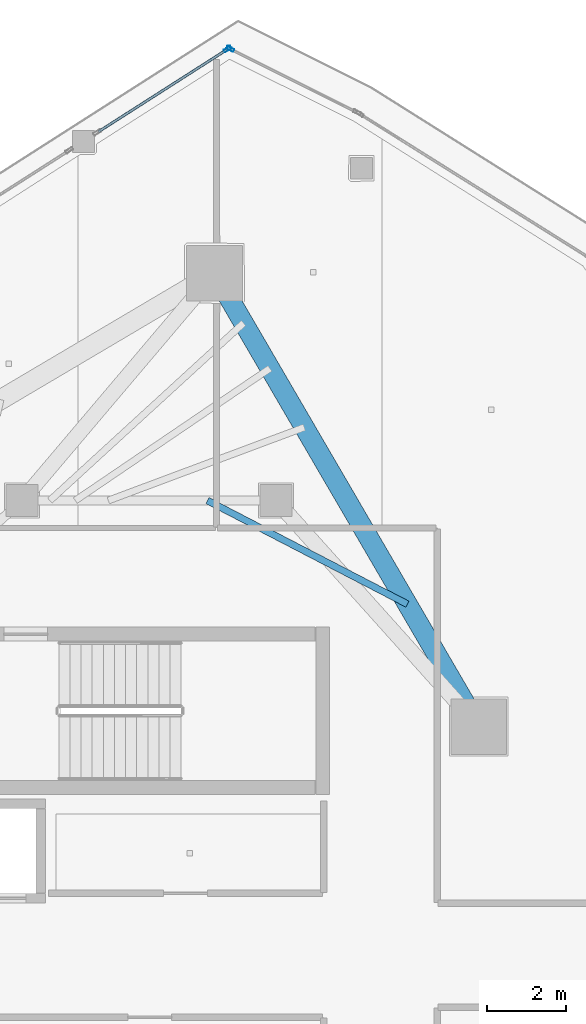
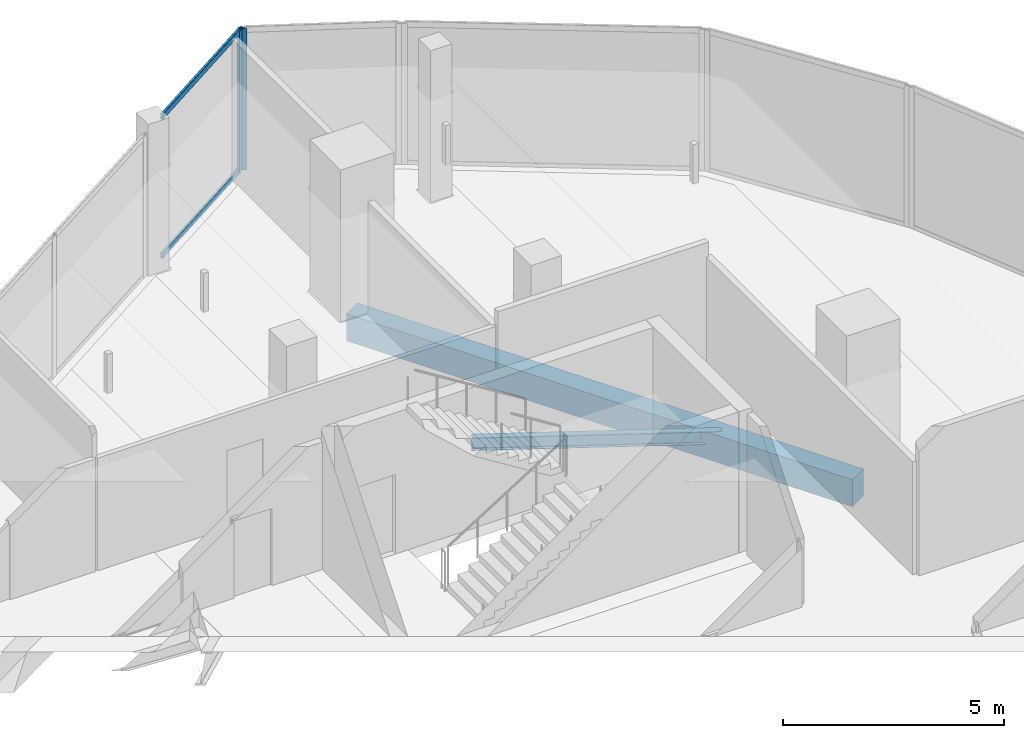
# One storey, part 14 of 25: 4 members, 2 beams, 2 elements without a shape of their own.
"""IFC4 building model written with IfcOpenShell, lengths in metres."""

import ifcopenshell
import ifcopenshell.guid

model = None  # the IFC model being written
_history = None  # IfcOwnerHistory: only IFC2X3 demands one
_inside = {}  # id of a spatial element -> (the spatial element, [elements in it])
_under = {}  # id of a project, library or spatial element -> (it, [spatial elements below it])
_declared = {}  # id of a project -> (the project, [libraries it declares])
_typed = {}  # id of a type object -> (the type object, [elements of that type])
_made_of = {}  # id of a material, layer set ... -> (it, [elements and type objects made of it])


def new_model(schema):
    """Start an empty IFC model of exactly this schema.

    Asked for "IFC4X3", IfcOpenShell would pick the latest addendum, in which some entities
    have other attributes; the version numbers below select the first issue.
    IFC2X3 requires an IfcOwnerHistory on every rooted entity: one is made here for all.
    """
    global model, _history
    if schema == "IFC4X3":
        model = ifcopenshell.file(schema_version=(4, 3, 0, 0))
    else:
        model = ifcopenshell.file(schema=schema)
    _inside.clear()
    _under.clear()
    _declared.clear()
    _typed.clear()
    _made_of.clear()
    _history = None
    if model.schema == "IFC2X3":
        org = make("IfcOrganization", Name="unknown")
        user = make(
            "IfcPersonAndOrganization",
            ThePerson=make("IfcPerson", FamilyName="unknown"),
            TheOrganization=org,
        )
        app = make(
            "IfcApplication",
            ApplicationDeveloper=org,
            Version="unknown",
            ApplicationFullName="unknown",
            ApplicationIdentifier="unknown",
        )
        _history = make(
            "IfcOwnerHistory",
            OwningUser=user,
            OwningApplication=app,
            ChangeAction="ADDED",
            CreationDate=0,
        )
    return model


def make(cls, **values):
    """One entity of the class cls with the attributes given. An attribute that is None is left unset."""
    return model.create_entity(
        cls, **{name: value for name, value in values.items() if value is not None}
    )


def rooted(cls, **values):
    """An entity with a GlobalId (a new one), such as an element, a storey or a relation."""
    return make(cls, GlobalId=ifcopenshell.guid.new(), OwnerHistory=_history, **values)


def si_unit(unit_type, name, prefix=None):
    """IfcSIUnit, for example si_unit("LENGTHUNIT", "METRE", prefix="MILLI")."""
    return make("IfcSIUnit", UnitType=unit_type, Prefix=prefix, Name=name)


def assignment(units):
    """IfcUnitAssignment: the units of a project."""
    return None if units is None else make("IfcUnitAssignment", Units=units)


def point(xyz):
    """IfcCartesianPoint."""
    return None if xyz is None else make("IfcCartesianPoint", Coordinates=xyz)


def direction(xyz):
    """IfcDirection."""
    return None if xyz is None else make("IfcDirection", DirectionRatios=xyz)


def frame(location, z_axis=None, x_axis=None):
    """IfcAxis2Placement3D, a coordinate frame: its origin and axes. An axis left out is left unset."""
    return make(
        "IfcAxis2Placement3D",
        Location=point(location),
        Axis=direction(z_axis),
        RefDirection=direction(x_axis),
    )


def frame_2d(location, x_axis=None):
    """IfcAxis2Placement2D, a coordinate frame in the plane: its origin and x axis."""
    return make(
        "IfcAxis2Placement2D", Location=point(location), RefDirection=direction(x_axis)
    )


def origin():
    """The frame at (0, 0, 0) with its axes left unset."""
    return frame((0.0, 0.0, 0.0))


def origin_2d():
    """The frame at (0, 0) in the plane with its x axis left unset."""
    return frame_2d((0.0, 0.0))


def place(relative_to, where):
    """IfcLocalPlacement: puts the frame where relative to a parent placement (None: the world)."""
    return make(
        "IfcLocalPlacement", PlacementRelTo=relative_to, RelativePlacement=where
    )


def context(
    kind, dimensions, precision=None, world=None, true_north=None, identifier=None
):
    """IfcGeometricRepresentationContext, for example the 3D "Model" context."""
    return make(
        "IfcGeometricRepresentationContext",
        ContextIdentifier=identifier,
        ContextType=kind,
        CoordinateSpaceDimension=dimensions,
        Precision=precision,
        WorldCoordinateSystem=world,
        TrueNorth=true_north,
    )


def subcontext(parent, identifier, kind, view, scale=None):
    """IfcGeometricRepresentationSubContext, for example "Body" below "Model"."""
    return make(
        "IfcGeometricRepresentationSubContext",
        ContextIdentifier=identifier,
        ContextType=kind,
        ParentContext=parent,
        TargetScale=scale,
        TargetView=view,
    )


def project(units=None, contexts=None):
    """IfcProject with its units and contexts."""
    return rooted(
        "IfcProject",
        Name="project",
        RepresentationContexts=contexts,
        UnitsInContext=assignment(units),
    )


def spatial(cls, under=None, at=None, **own):
    """A site, building, storey or space (cls), placed at a placement, below another one or the project."""
    s = rooted(cls, ObjectPlacement=at, **own)
    if under is not None:
        _under.setdefault(under.id(), (under, []))[1].append(s)
    return s


def profile(cls, at=None, kind="AREA", **sizes):
    """A parametric profile (cls). Its sizes go by their IFC names, for example OverallWidth=200.0."""
    return make(cls, ProfileType=kind, Position=at, **sizes)


def rectangle(**sizes):
    """IfcRectangleProfileDef."""
    return profile("IfcRectangleProfileDef", **sizes)


def hollow_rectangle(**sizes):
    """IfcRectangleHollowProfileDef."""
    return profile("IfcRectangleHollowProfileDef", **sizes)


def i_section(**sizes):
    """IfcIShapeProfileDef."""
    return profile("IfcIShapeProfileDef", **sizes)


def extrude(swept, where, along, depth):
    """IfcExtrudedAreaSolid: the profile swept, set in the frame where, extruded along a direction by depth."""
    return make(
        "IfcExtrudedAreaSolid",
        SweptArea=swept,
        Position=where,
        ExtrudedDirection=direction(along),
        Depth=depth,
    )


def shape(context_of_items, identifier, shape_type, items):
    """IfcShapeRepresentation: the items that make up one representation, for example the "Body"."""
    return make(
        "IfcShapeRepresentation",
        ContextOfItems=context_of_items,
        RepresentationIdentifier=identifier,
        RepresentationType=shape_type,
        Items=items,
    )


def material(Name=None, Category=None):
    """IfcMaterial."""
    return make("IfcMaterial", Name=Name, Category=Category)


def layer(
    of_material, thickness, ventilated=None, Name=None, Category=None, Priority=None
):
    """IfcMaterialLayer: one layer of a wall or slab, of a material (None: an air gap)."""
    return make(
        "IfcMaterialLayer",
        Material=of_material,
        LayerThickness=thickness,
        IsVentilated=ventilated,
        Name=Name,
        Category=Category,
        Priority=Priority,
    )


def layer_set(layers, Name=None):
    """IfcMaterialLayerSet."""
    return make("IfcMaterialLayerSet", MaterialLayers=layers, LayerSetName=Name)


def material_profile(
    of_material, cross_section, Name=None, Category=None, Priority=None
):
    """IfcMaterialProfile: a cross section and its material."""
    return make(
        "IfcMaterialProfile",
        Name=Name,
        Material=of_material,
        Profile=cross_section,
        Priority=Priority,
        Category=Category,
    )


def profile_set(profiles, Name=None, composite=None):
    """IfcMaterialProfileSet."""
    return make(
        "IfcMaterialProfileSet",
        Name=Name,
        MaterialProfiles=profiles,
        CompositeProfile=composite,
    )


def made_of(thing, what):
    """Note that an element or type object is made of a material, layer set ...; save() writes the relation."""
    if what is not None:
        _made_of.setdefault(what.id(), (what, []))[1].append(thing)
    return thing


def type_object(cls, material=None, **own):
    """A type object (cls), such as IfcWallType, which elements share."""
    return made_of(rooted(cls, **own), material)


def element(
    cls,
    number,
    at=None,
    inside=None,
    cuts=None,
    type_object=None,
    material=None,
    context=None,
    identifier="Body",
    shape_type=None,
    held_by="IfcProductDefinitionShape",
    body=None,
    shapes=None,
    **own,
):
    """One element of the class cls, such as IfcWall. Its Tag is "e" and its number.

    at: its placement. inside: the storey or other place that contains it. cuts: it is an
    opening in that element (IfcRelVoidsElement). A single representation is given by context,
    identifier, shape_type and body (its items); several are given by shapes. held_by: the class
    of the entity that holds the representations. save() writes the other relations.
    """
    e = rooted(cls, Tag="e%d" % number, ObjectPlacement=at, **own)
    if body is not None:
        shapes = [shape(context, identifier, shape_type, body)]
    if shapes is not None:
        e.Representation = make(held_by, Representations=shapes)
    if inside is not None:
        _inside.setdefault(inside.id(), (inside, []))[1].append(e)
    if cuts is not None:
        rooted(
            "IfcRelVoidsElement", RelatingBuildingElement=cuts, RelatedOpeningElement=e
        )
    if type_object is not None:
        _typed.setdefault(type_object.id(), (type_object, []))[1].append(e)
    return made_of(e, material)


def aggregate(whole, parts):
    """IfcRelAggregates: a whole, such as a stair, and the parts it consists of."""
    return rooted("IfcRelAggregates", RelatingObject=whole, RelatedObjects=parts)


def save(model, path):
    """Write the relations noted so far, then the file.

    IfcRelAggregates (storeys below a building ...), IfcRelContainedInSpatialStructure (elements
    in a storey), IfcRelDefinesByType, IfcRelAssociatesMaterial and IfcRelDeclares: one each for
    every whole, place, type object, material and project.
    """
    for whole, parts in _under.values():
        aggregate(whole, parts)
    for where, things in _inside.values():
        rooted(
            "IfcRelContainedInSpatialStructure",
            RelatedElements=things,
            RelatingStructure=where,
        )
    for kind, things in _typed.values():
        rooted("IfcRelDefinesByType", RelatedObjects=things, RelatingType=kind)
    for what, things in _made_of.values():
        rooted("IfcRelAssociatesMaterial", RelatedObjects=things, RelatingMaterial=what)
    for by, libraries in _declared.values():
        rooted("IfcRelDeclares", RelatingContext=by, RelatedDefinitions=libraries)
    model.write(path)


model = new_model("IFC4")

# Units and contexts
model_context = context("Model", 3, precision=1e-05, world=origin(), true_north=direction((0.0, 1.0)))
body_context = subcontext(model_context, "Body", "Model", "MODEL_VIEW")
ifc_project = project(units=[si_unit("LENGTHUNIT", "METRE"), si_unit("AREAUNIT", "SQUARE_METRE"), si_unit("VOLUMEUNIT", "CUBIC_METRE"), si_unit("PLANEANGLEUNIT", "RADIAN"), si_unit("MASSUNIT", "GRAM", prefix="KILO")], contexts=[model_context])

# Site, building, storey
site_placement = place(None, origin())
site = spatial("IfcSite", under=ifc_project, at=site_placement, CompositionType="ELEMENT")
building_placement = place(site_placement, origin())
building = spatial("IfcBuilding", under=site, at=building_placement, Name="Qorvath Tower", CompositionType="ELEMENT")
storey_placement = place(building_placement, frame((0.0, 0.0, 297.60009765625)))
storey = spatial("IfcBuildingStorey", under=building, at=storey_placement, Name="L69", CompositionType="ELEMENT", Elevation=297.60009765625)

# Beams
ifc_material_1 = material(Name="Steel ASTM A992 Grade 50", Category="steel")
ifc_material_profile_1 = material_profile(ifc_material_1, i_section(OverallWidth=0.1708984375, OverallDepth=0.35107421875, WebThickness=0.0068359375, FlangeThickness=0.009765625, FilletRadius=0.010009765625, at=origin_2d()), Name="W14x30")
ifc_profile_set_1 = profile_set([ifc_material_profile_1], Name="Steel ASTM A992 Grade 50")
beam_type_1 = type_object("IfcBeamType", Name="BM-FJ4", PredefinedType="JOIST", material=ifc_profile_set_1)
beam_1_placement = place(storey_placement, frame((-18.927978515625, 11.449951171875, -0.465576171875), z_axis=(0.887840529015, -0.460151274082, 0.0), x_axis=(0.460151274082, 0.887840529015, 0.0)))
element("IfcBeam", 1, at=beam_1_placement, inside=storey, type_object=beam_type_1, Name="Composite Floor Joist NE2 L69", PredefinedType="JOIST", context=body_context, shape_type="SweptSolid", body=[
    extrude(i_section(OverallWidth=0.1708984375, OverallDepth=0.35107421875, WebThickness=0.0068359375, FlangeThickness=0.009765625, FilletRadius=0.010009765625, at=origin_2d()), origin(), (0.0, 0.0, 1.0), 5.670654296875),
])
ifc_material_2 = material(Name="Concrete C45/55", Category="concrete")
ifc_material_profile_2 = material_profile(ifc_material_2, rectangle(XDim=0.5, YDim=0.75, at=origin_2d()), Name="RCB 750x500")
ifc_profile_set_2 = profile_set([ifc_material_profile_2], Name="Concrete C45/55")
beam_type_2 = type_object("IfcBeamType", Name="BM-RCB3", PredefinedType="SPANDREL", material=ifc_profile_set_2)
beam_2_placement = place(storey_placement, frame((-12.0966796875, 5.7578125, -0.6650390625), z_axis=(-0.503502256692, 0.863993910572, 0.0), x_axis=(-0.863993910572, -0.503502256692, 0.0)))
element("IfcBeam", 2, at=beam_2_placement, inside=storey, type_object=beam_type_2, Name="Perimeter Loggia Frame Beam MC5-MC6 L69", PredefinedType="SPANDREL", context=body_context, shape_type="SweptSolid", body=[
    extrude(rectangle(XDim=0.5, YDim=0.75, at=origin_2d()), origin(), (0.0, 0.0, 1.0), 13.215087890625),
])

# Curtain wall, member
ifc_material_3 = material(Name="Anodised aluminium and triple low-E glass", Category="aluminium")
ifc_layer = layer(ifc_material_3, 0.179931640625)
ifc_layer_set = layer_set([ifc_layer], Name="CW-SYS-5")
curtain_wall_type = type_object("IfcCurtainWallType", Name="CW-SYS-5", PredefinedType="NOTDEFINED", material=ifc_layer_set)
curtain_wall_1_placement = place(storey_placement, origin())
curtain_wall_1 = element("IfcCurtainWall", 3, at=curtain_wall_1_placement, inside=storey, type_object=curtain_wall_type, Name="Curtain Wall CW-5 CW-T-L69-15.1", PredefinedType="NOTDEFINED")
ifc_material_4 = material(Name="Anodised aluminium 6063-T6", Category="aluminium")
ifc_material_profile_3 = material_profile(ifc_material_4, hollow_rectangle(XDim=0.074951171875, YDim=0.199951171875, WallThickness=0.00390625, InnerFilletRadius=0.00390625, OuterFilletRadius=0.008056640625, at=origin_2d()), Name="CWM 200x75")
ifc_profile_set_3 = profile_set([ifc_material_profile_3], Name="Anodised aluminium 6063-T6")
member_type_1 = type_object("IfcMemberType", Name="CWM-200", PredefinedType="MULLION", material=ifc_profile_set_3)
member_1_placement = place(storey_placement, frame((-18.35400390625, 22.82080078125, 0.0), z_axis=(0.0, 0.0, 1.0), x_axis=(-0.447180696116, -0.894443639936, 0.0)))
member_1 = element("IfcMember", 4, at=member_1_placement, type_object=member_type_1, Name="CW-5 mullion 2", PredefinedType="MULLION", context=body_context, shape_type="SweptSolid", body=[
    extrude(hollow_rectangle(XDim=0.074951171875, YDim=0.199951171875, WallThickness=0.00390625, InnerFilletRadius=0.00390625, OuterFilletRadius=0.008056640625, at=origin_2d()), origin(), (0.0, 0.0, 1.0), 3.909912109375),
])
aggregate(curtain_wall_1, [member_1])

# Curtain wall, members
curtain_wall_2_placement = place(storey_placement, origin())
curtain_wall_2 = element("IfcCurtainWall", 5, at=curtain_wall_2_placement, inside=storey, type_object=curtain_wall_type, Name="Curtain Wall CW-5 CW-T-L69-16.1", PredefinedType="NOTDEFINED")
member_2_placement = place(storey_placement, frame((-18.419189453125, 22.8173828125, 0.0), z_axis=(0.0, 0.0, 1.0), x_axis=(0.538544763076, -0.842596901349, 0.0)))
member_2 = element("IfcMember", 6, at=member_2_placement, type_object=member_type_1, Name="CW-5 mullion 1", PredefinedType="MULLION", context=body_context, shape_type="SweptSolid", body=[
    extrude(hollow_rectangle(XDim=0.074951171875, YDim=0.199951171875, WallThickness=0.00390625, InnerFilletRadius=0.00390625, OuterFilletRadius=0.008056640625, at=origin_2d()), origin(), (0.0, 0.0, 1.0), 3.909912109375),
])
ifc_material_5 = material(Name="Anodised aluminium 6063-T6", Category="aluminium")
ifc_material_profile_4 = material_profile(ifc_material_5, hollow_rectangle(XDim=0.06494140625, YDim=0.159912109375, WallThickness=0.00341796875, InnerFilletRadius=0.00341796875, OuterFilletRadius=0.007080078125, at=origin_2d()), Name="CWT 160x65")
ifc_profile_set_4 = profile_set([ifc_material_profile_4], Name="Anodised aluminium 6063-T6")
member_type_2 = type_object("IfcMemberType", Name="CWT-160", PredefinedType="USERDEFINED", material=ifc_profile_set_4)
member_3_placement = place(storey_placement, frame((-18.45068359375, 22.797119140625, 0.032470703125), z_axis=(-0.842591552157, -0.538553132229, 0.0), x_axis=(0.538553132229, -0.842591552157, 0.0)))
member_3 = element("IfcMember", 7, at=member_3_placement, type_object=member_type_2, Name="CW-5 transom 1.1", ObjectType="TRANSOM", PredefinedType="USERDEFINED", context=body_context, shape_type="SweptSolid", body=[
    extrude(hollow_rectangle(XDim=0.06494140625, YDim=0.159912109375, WallThickness=0.00341796875, InnerFilletRadius=0.00341796875, OuterFilletRadius=0.007080078125, at=origin_2d()), origin(), (0.0, 0.0, 1.0), 3.820556640625),
])
member_4_placement = place(storey_placement, frame((-18.45068359375, 22.797119140625, 3.87744140625), z_axis=(-0.842591552157, -0.538553132229, 0.0), x_axis=(0.538553132229, -0.842591552157, 0.0)))
member_4 = element("IfcMember", 8, at=member_4_placement, type_object=member_type_2, Name="CW-5 transom 1.2", ObjectType="TRANSOM", PredefinedType="USERDEFINED", context=body_context, shape_type="SweptSolid", body=[
    extrude(hollow_rectangle(XDim=0.06494140625, YDim=0.159912109375, WallThickness=0.00341796875, InnerFilletRadius=0.00341796875, OuterFilletRadius=0.007080078125, at=origin_2d()), origin(), (0.0, 0.0, 1.0), 3.820556640625),
])
aggregate(curtain_wall_2, [member_2, member_3, member_4])

save(model, "model.ifc")
